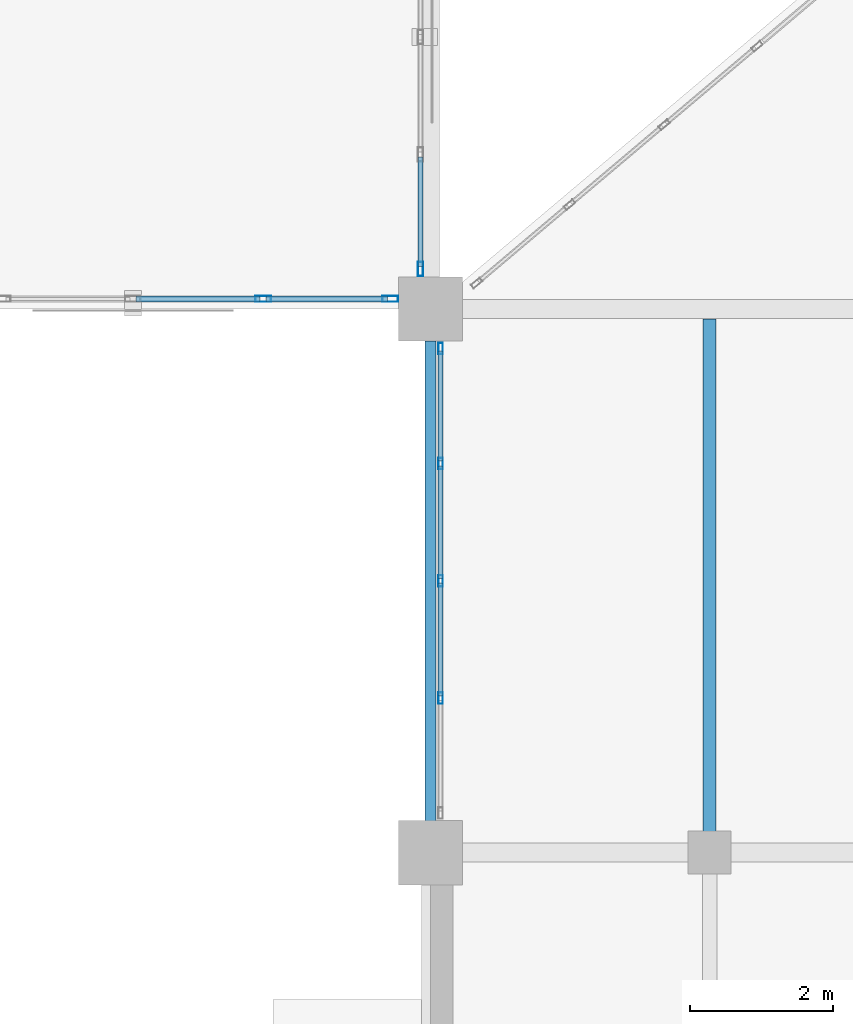
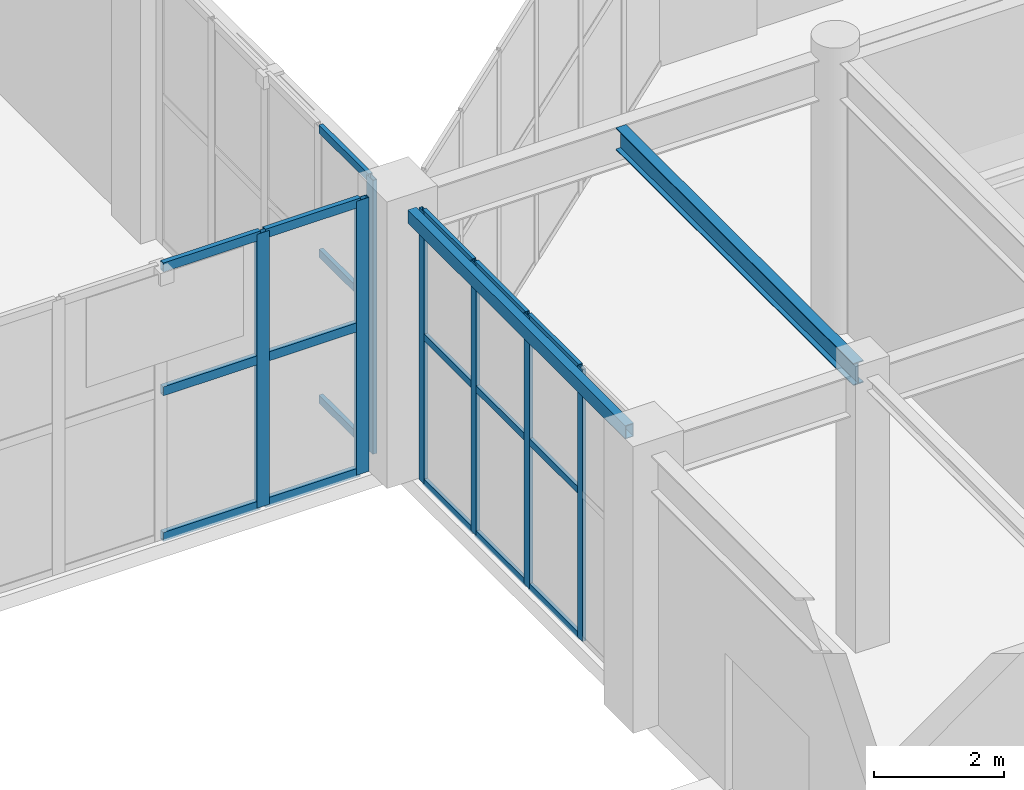
# One storey, part 82 of 139: 25 members, 2 beams, 3 elements without a shape of their own.
"""IFC4 building model written with IfcOpenShell, lengths in metres."""

from ifc_helpers import new_model, si_unit, direction, frame, origin, origin_2d, place, context, subcontext, project, spatial, hollow_rectangle, i_section, extrude, material, layer, layer_set, material_profile, profile_set, type_object, element, aggregate, save


model = new_model("IFC4")

# Units and contexts
model_context = context("Model", 3, precision=1e-05, world=origin(), true_north=direction((0.0, 1.0)))
body_context = subcontext(model_context, "Body", "Model", "MODEL_VIEW")
ifc_project = project(units=[si_unit("LENGTHUNIT", "METRE"), si_unit("AREAUNIT", "SQUARE_METRE"), si_unit("VOLUMEUNIT", "CUBIC_METRE"), si_unit("PLANEANGLEUNIT", "RADIAN"), si_unit("MASSUNIT", "GRAM", prefix="KILO")], contexts=[model_context])

# Site, building, storey
site_placement = place(None, origin())
site = spatial("IfcSite", under=ifc_project, at=site_placement, CompositionType="ELEMENT")
building_placement = place(site_placement, origin())
building = spatial("IfcBuilding", under=site, at=building_placement, Name="Xicomal Pleat Aquarium", CompositionType="ELEMENT")
storey_placement = place(building_placement, origin())
storey = spatial("IfcBuildingStorey", under=building, at=storey_placement, Name="L01", CompositionType="ELEMENT", Elevation=0.0)

# Beams
ifc_material_1 = material(Name="Structural steel A992 Gr 50", Category="steel")
ifc_material_profile_1 = material_profile(ifc_material_1, i_section(OverallWidth=0.180908203125, OverallDepth=0.4169921875, WebThickness=0.010986328125, FlangeThickness=0.018310546875, at=origin_2d()), Name="IR 410x85")
ifc_profile_set_1 = profile_set([ifc_material_profile_1], Name="Structural steel A992 Gr 50")
beam_type_1 = type_object("IfcBeamType", Name="BM-STL-IR410", PredefinedType="JOIST", material=ifc_profile_set_1)
beam_1_placement = place(storey_placement, frame((137.699951171875, 22.93701171875, 4.91162109375), z_axis=(0.0, 1.0, 0.0), x_axis=(-1.0, 0.0, 0.0)))
element("IfcBeam", 1, at=beam_1_placement, inside=storey, type_object=beam_type_1, Name="L01 framing beam FBJ-L01-17-D-1", PredefinedType="JOIST", context=body_context, shape_type="SweptSolid", body=[
    extrude(i_section(OverallWidth=0.180908203125, OverallDepth=0.4169921875, WebThickness=0.010986328125, FlangeThickness=0.018310546875, at=origin_2d()), origin(), (0.0, 0.0, 1.0), 7.325927734375),
])
ifc_material_2 = material(Name="Structural steel A500 Gr C", Category="steel")
ifc_material_profile_2 = material_profile(ifc_material_2, hollow_rectangle(XDim=0.14990234375, YDim=0.25, WallThickness=0.010009765625, at=origin_2d()), Name="OR 250x150x10")
ifc_profile_set_2 = profile_set([ifc_material_profile_2], Name="Structural steel A500 Gr C")
beam_type_2 = type_object("IfcBeamType", Name="BM-STL-OR250", PredefinedType="SPANDREL", material=ifc_profile_set_2)
beam_2_placement = place(storey_placement, frame((133.800048828125, 23.2451171875, 4.9951171875), z_axis=(0.0, 1.0, 0.0), x_axis=(-1.0, 0.0, 0.0)))
element("IfcBeam", 2, at=beam_2_placement, inside=storey, type_object=beam_type_2, Name="L01 framing beam FGY-L01-17-D-E", PredefinedType="SPANDREL", context=body_context, shape_type="SweptSolid", body=[
    extrude(hollow_rectangle(XDim=0.14990234375, YDim=0.25, WallThickness=0.010009765625, at=origin_2d()), origin(), (0.0, 0.0, 1.0), 6.7099609375),
])

# Curtain wall, members
ifc_material_3 = material(Name="Bronze anodized aluminium 6063-T6", Category="aluminium")
ifc_layer_1 = layer(ifc_material_3, 0.159912109375)
ifc_layer_set_1 = layer_set([ifc_layer_1], Name="Bronze anodized aluminium 6063-T6")
curtain_wall_type_1 = type_object("IfcCurtainWallType", Name="CW-SYS-01", PredefinedType="NOTDEFINED", material=ifc_layer_set_1)
curtain_wall_1_placement = place(storey_placement, origin())
curtain_wall_1 = element("IfcCurtainWall", 3, at=curtain_wall_1_placement, inside=storey, type_object=curtain_wall_type_1, Name="L01 unitised curtain wall CW-L01-063", PredefinedType="NOTDEFINED")
ifc_material_4 = material(Name="Bronze anodized aluminium 6063-T6", Category="aluminium")
ifc_material_profile_3 = material_profile(ifc_material_4, hollow_rectangle(XDim=0.06494140625, YDim=0.159912109375, WallThickness=0.00390625, at=origin_2d()), Name="ALU MULL 65x160")
ifc_profile_set_3 = profile_set([ifc_material_profile_3], Name="Bronze anodized aluminium 6063-T6")
member_type_1 = type_object("IfcMemberType", Name="CWM-65x160", PredefinedType="MULLION", material=ifc_profile_set_3)
member_1_placement = place(storey_placement, frame((133.93994140625, 24.9599609375, 0.0), z_axis=(0.0, 0.0, 1.0), x_axis=(-1.0, 0.0, 0.0)))
member_1 = element("IfcMember", 4, at=member_1_placement, type_object=member_type_1, Name="CW-01 mullion 2", PredefinedType="MULLION", context=body_context, shape_type="SweptSolid", body=[
    extrude(hollow_rectangle(XDim=0.06494140625, YDim=0.159912109375, WallThickness=0.00390625, at=origin_2d()), origin(), (0.0, 0.0, 1.0), 5.1201171875),
])
member_2_placement = place(storey_placement, frame((133.93994140625, 26.60009765625, 0.0), z_axis=(0.0, 0.0, 1.0), x_axis=(-1.0, 0.0, 0.0)))
member_2 = element("IfcMember", 5, at=member_2_placement, type_object=member_type_1, Name="CW-01 mullion 3", PredefinedType="MULLION", context=body_context, shape_type="SweptSolid", body=[
    extrude(hollow_rectangle(XDim=0.06494140625, YDim=0.159912109375, WallThickness=0.00390625, at=origin_2d()), origin(), (0.0, 0.0, 1.0), 5.1201171875),
])
member_3_placement = place(storey_placement, frame((133.93994140625, 28.239990234375, 0.0), z_axis=(0.0, 0.0, 1.0), x_axis=(-1.0, 0.0, 0.0)))
member_3 = element("IfcMember", 6, at=member_3_placement, type_object=member_type_1, Name="CW-01 mullion 4", PredefinedType="MULLION", context=body_context, shape_type="SweptSolid", body=[
    extrude(hollow_rectangle(XDim=0.06494140625, YDim=0.159912109375, WallThickness=0.00390625, at=origin_2d()), origin(), (0.0, 0.0, 1.0), 5.1201171875),
])
member_4_placement = place(storey_placement, frame((133.93994140625, 29.847412109375, 0.0), z_axis=(0.0, 0.0, 1.0), x_axis=(-1.0, 0.0, 0.0)))
member_4 = element("IfcMember", 7, at=member_4_placement, type_object=member_type_1, Name="CW-01 mullion 5", PredefinedType="MULLION", context=body_context, shape_type="SweptSolid", body=[
    extrude(hollow_rectangle(XDim=0.06494140625, YDim=0.159912109375, WallThickness=0.00390625, at=origin_2d()), origin(), (0.0, 0.0, 1.0), 5.1201171875),
])

# Curtain wall, member
ifc_material_5 = material(Name="Bronze anodized aluminium 6063-T6", Category="aluminium")
ifc_layer_2 = layer(ifc_material_5, 0.159912109375)
ifc_layer_set_2 = layer_set([ifc_layer_2], Name="Bronze anodized aluminium 6063-T6")
curtain_wall_type_2 = type_object("IfcCurtainWallType", Name="CW-SYS-06", PredefinedType="NOTDEFINED", material=ifc_layer_set_2)
curtain_wall_2_placement = place(storey_placement, origin())
curtain_wall_2 = element("IfcCurtainWall", 8, at=curtain_wall_2_placement, inside=storey, type_object=curtain_wall_type_2, Name="L01 unitised curtain wall CW-L01-046", PredefinedType="NOTDEFINED")
ifc_material_6 = material(Name="Bronze anodized aluminium 6063-T6", Category="aluminium")
ifc_material_profile_4 = material_profile(ifc_material_6, hollow_rectangle(XDim=0.074951171875, YDim=0.199951171875, WallThickness=0.00439453125, at=origin_2d()), Name="ALU MULL 75x200")
ifc_profile_set_4 = profile_set([ifc_material_profile_4], Name="Bronze anodized aluminium 6063-T6")
member_type_2 = type_object("IfcMemberType", Name="CWM-75x200", PredefinedType="MULLION", material=ifc_profile_set_4)
member_5_placement = place(storey_placement, frame((133.659912109375, 30.95751953125, 0.0), z_axis=(0.0, 0.0, 1.0), x_axis=(1.0, 0.0, 0.0)))
member_5 = element("IfcMember", 9, at=member_5_placement, type_object=member_type_2, Name="CW-06 mullion 5", PredefinedType="MULLION", context=body_context, shape_type="SweptSolid", body=[
    extrude(hollow_rectangle(XDim=0.074951171875, YDim=0.199951171875, WallThickness=0.00439453125, at=origin_2d()), origin(), (0.0, 0.0, 1.0), 5.159912109375),
])

# Curtain wall, members
ifc_material_7 = material(Name="Bronze anodized aluminium 6063-T6", Category="aluminium")
ifc_layer_3 = layer(ifc_material_7, 0.159912109375)
ifc_layer_set_3 = layer_set([ifc_layer_3], Name="Bronze anodized aluminium 6063-T6")
curtain_wall_type_3 = type_object("IfcCurtainWallType", Name="CW-SYS-11", PredefinedType="NOTDEFINED", material=ifc_layer_set_3)
curtain_wall_3_placement = place(storey_placement, origin())
curtain_wall_3 = element("IfcCurtainWall", 10, at=curtain_wall_3_placement, inside=storey, type_object=curtain_wall_type_3, Name="L01 unitised curtain wall CW-L01-047", PredefinedType="NOTDEFINED")
ifc_material_8 = material(Name="Bronze anodized aluminium 6063-T6", Category="aluminium")
ifc_material_profile_5 = material_profile(ifc_material_8, hollow_rectangle(XDim=0.0849609375, YDim=0.219970703125, WallThickness=0.0048828125, at=origin_2d()), Name="ALU MULL 85x220")
ifc_profile_set_5 = profile_set([ifc_material_profile_5], Name="Bronze anodized aluminium 6063-T6")
member_type_3 = type_object("IfcMemberType", Name="CWM-85x220", PredefinedType="MULLION", material=ifc_profile_set_5)
member_6_placement = place(storey_placement, frame((133.237548828125, 30.5400390625, 0.0), z_axis=(0.0, 0.0, 1.0), x_axis=(0.0, -1.0, 0.0)))
member_6 = element("IfcMember", 11, at=member_6_placement, type_object=member_type_3, Name="CW-11 mullion 1", PredefinedType="MULLION", context=body_context, shape_type="SweptSolid", body=[
    extrude(hollow_rectangle(XDim=0.0849609375, YDim=0.219970703125, WallThickness=0.0048828125, at=origin_2d()), origin(), (0.0, 0.0, 1.0), 5.159912109375),
])
member_7_placement = place(storey_placement, frame((131.4599609375, 30.5400390625, 0.0), z_axis=(0.0, 0.0, 1.0), x_axis=(0.0, -1.0, 0.0)))
member_7 = element("IfcMember", 12, at=member_7_placement, type_object=member_type_3, Name="CW-11 mullion 2", PredefinedType="MULLION", context=body_context, shape_type="SweptSolid", body=[
    extrude(hollow_rectangle(XDim=0.0849609375, YDim=0.219970703125, WallThickness=0.0048828125, at=origin_2d()), origin(), (0.0, 0.0, 1.0), 5.159912109375),
])

# Member
ifc_material_9 = material(Name="Bronze anodized aluminium 6063-T6", Category="aluminium")
ifc_material_profile_6 = material_profile(ifc_material_9, hollow_rectangle(XDim=0.06494140625, YDim=0.1298828125, WallThickness=0.00390625, at=origin_2d()), Name="ALU TRAN 65x130")
ifc_profile_set_6 = profile_set([ifc_material_profile_6], Name="Bronze anodized aluminium 6063-T6")
member_type_4 = type_object("IfcMemberType", Name="CWT-65x130", PredefinedType="USERDEFINED", material=ifc_profile_set_6)
member_8_placement = place(storey_placement, frame((133.93994140625, 24.992431640625, 0.032470703125), z_axis=(0.0, 1.0, 0.0), x_axis=(-1.0, 0.0, 0.0)))
member_8 = element("IfcMember", 13, at=member_8_placement, type_object=member_type_4, Name="CW-01 transom 2.1", ObjectType="TRANSOM", PredefinedType="USERDEFINED", context=body_context, shape_type="SweptSolid", body=[
    extrude(hollow_rectangle(XDim=0.06494140625, YDim=0.1298828125, WallThickness=0.00390625, at=origin_2d()), origin(), (0.0, 0.0, 1.0), 1.574951171875),
])

member_9_placement = place(storey_placement, frame((133.93994140625, 24.992431640625, 2.764892578125), z_axis=(0.0, 1.0, 0.0), x_axis=(-1.0, 0.0, 0.0)))
member_9 = element("IfcMember", 14, at=member_9_placement, type_object=member_type_4, Name="CW-01 transom 2.2", ObjectType="TRANSOM", PredefinedType="USERDEFINED", context=body_context, shape_type="SweptSolid", body=[
    extrude(hollow_rectangle(XDim=0.06494140625, YDim=0.1298828125, WallThickness=0.00390625, at=origin_2d()), origin(), (0.0, 0.0, 1.0), 1.574951171875),
])

member_10_placement = place(storey_placement, frame((133.93994140625, 24.992431640625, 5.08740234375), z_axis=(0.0, 1.0, 0.0), x_axis=(-1.0, 0.0, 0.0)))
member_10 = element("IfcMember", 15, at=member_10_placement, type_object=member_type_4, Name="CW-01 transom 2.3", ObjectType="TRANSOM", PredefinedType="USERDEFINED", context=body_context, shape_type="SweptSolid", body=[
    extrude(hollow_rectangle(XDim=0.06494140625, YDim=0.1298828125, WallThickness=0.00390625, at=origin_2d()), origin(), (0.0, 0.0, 1.0), 1.574951171875),
])

member_11_placement = place(storey_placement, frame((133.93994140625, 26.632568359375, 0.032470703125), z_axis=(0.0, 1.0, 0.0), x_axis=(-1.0, 0.0, 0.0)))
member_11 = element("IfcMember", 16, at=member_11_placement, type_object=member_type_4, Name="CW-01 transom 3.1", ObjectType="TRANSOM", PredefinedType="USERDEFINED", context=body_context, shape_type="SweptSolid", body=[
    extrude(hollow_rectangle(XDim=0.06494140625, YDim=0.1298828125, WallThickness=0.00390625, at=origin_2d()), origin(), (0.0, 0.0, 1.0), 1.574951171875),
])

member_12_placement = place(storey_placement, frame((133.93994140625, 26.632568359375, 2.764892578125), z_axis=(0.0, 1.0, 0.0), x_axis=(-1.0, 0.0, 0.0)))
member_12 = element("IfcMember", 17, at=member_12_placement, type_object=member_type_4, Name="CW-01 transom 3.2", ObjectType="TRANSOM", PredefinedType="USERDEFINED", context=body_context, shape_type="SweptSolid", body=[
    extrude(hollow_rectangle(XDim=0.06494140625, YDim=0.1298828125, WallThickness=0.00390625, at=origin_2d()), origin(), (0.0, 0.0, 1.0), 1.574951171875),
])

member_13_placement = place(storey_placement, frame((133.93994140625, 26.632568359375, 5.08740234375), z_axis=(0.0, 1.0, 0.0), x_axis=(-1.0, 0.0, 0.0)))
member_13 = element("IfcMember", 18, at=member_13_placement, type_object=member_type_4, Name="CW-01 transom 3.3", ObjectType="TRANSOM", PredefinedType="USERDEFINED", context=body_context, shape_type="SweptSolid", body=[
    extrude(hollow_rectangle(XDim=0.06494140625, YDim=0.1298828125, WallThickness=0.00390625, at=origin_2d()), origin(), (0.0, 0.0, 1.0), 1.574951171875),
])

member_14_placement = place(storey_placement, frame((133.93994140625, 28.2724609375, 0.032470703125), z_axis=(0.0, 1.0, 0.0), x_axis=(-1.0, 0.0, 0.0)))
member_14 = element("IfcMember", 19, at=member_14_placement, type_object=member_type_4, Name="CW-01 transom 4.1", ObjectType="TRANSOM", PredefinedType="USERDEFINED", context=body_context, shape_type="SweptSolid", body=[
    extrude(hollow_rectangle(XDim=0.06494140625, YDim=0.1298828125, WallThickness=0.00390625, at=origin_2d()), origin(), (0.0, 0.0, 1.0), 1.54248046875),
])

member_15_placement = place(storey_placement, frame((133.93994140625, 28.2724609375, 2.764892578125), z_axis=(0.0, 1.0, 0.0), x_axis=(-1.0, 0.0, 0.0)))
member_15 = element("IfcMember", 20, at=member_15_placement, type_object=member_type_4, Name="CW-01 transom 4.2", ObjectType="TRANSOM", PredefinedType="USERDEFINED", context=body_context, shape_type="SweptSolid", body=[
    extrude(hollow_rectangle(XDim=0.06494140625, YDim=0.1298828125, WallThickness=0.00390625, at=origin_2d()), origin(), (0.0, 0.0, 1.0), 1.54248046875),
])

member_16_placement = place(storey_placement, frame((133.93994140625, 28.2724609375, 5.08740234375), z_axis=(0.0, 1.0, 0.0), x_axis=(-1.0, 0.0, 0.0)))
member_16 = element("IfcMember", 21, at=member_16_placement, type_object=member_type_4, Name="CW-01 transom 4.3", ObjectType="TRANSOM", PredefinedType="USERDEFINED", context=body_context, shape_type="SweptSolid", body=[
    extrude(hollow_rectangle(XDim=0.06494140625, YDim=0.1298828125, WallThickness=0.00390625, at=origin_2d()), origin(), (0.0, 0.0, 1.0), 1.54248046875),
])

aggregate(curtain_wall_1, [member_1, member_2, member_3, member_4, member_8, member_9, member_10, member_11, member_12, member_13, member_14, member_15, member_16])

ifc_material_10 = material(Name="Bronze anodized aluminium 6063-T6", Category="aluminium")
ifc_material_profile_7 = material_profile(ifc_material_10, hollow_rectangle(XDim=0.074951171875, YDim=0.14990234375, WallThickness=0.00439453125, at=origin_2d()), Name="ALU TRAN 75x150")
ifc_profile_set_7 = profile_set([ifc_material_profile_7], Name="Bronze anodized aluminium 6063-T6")
member_type_5 = type_object("IfcMemberType", Name="CWT-75x150", PredefinedType="USERDEFINED", material=ifc_profile_set_7)
member_17_placement = place(storey_placement, frame((133.659912109375, 32.5224609375, 0.03759765625), z_axis=(0.0, -1.0, 0.0), x_axis=(1.0, 0.0, 0.0)))
member_17 = element("IfcMember", 22, at=member_17_placement, type_object=member_type_5, Name="CW-06 transom 4.1", ObjectType="TRANSOM", PredefinedType="USERDEFINED", context=body_context, shape_type="SweptSolid", body=[
    extrude(hollow_rectangle(XDim=0.074951171875, YDim=0.14990234375, WallThickness=0.00439453125, at=origin_2d()), origin(), (0.0, 0.0, 1.0), 1.52734375),
])

member_18_placement = place(storey_placement, frame((133.659912109375, 32.5224609375, 2.785888671875), z_axis=(0.0, -1.0, 0.0), x_axis=(1.0, 0.0, 0.0)))
member_18 = element("IfcMember", 23, at=member_18_placement, type_object=member_type_5, Name="CW-06 transom 4.2", ObjectType="TRANSOM", PredefinedType="USERDEFINED", context=body_context, shape_type="SweptSolid", body=[
    extrude(hollow_rectangle(XDim=0.074951171875, YDim=0.14990234375, WallThickness=0.00439453125, at=origin_2d()), origin(), (0.0, 0.0, 1.0), 1.52734375),
])

member_19_placement = place(storey_placement, frame((133.659912109375, 32.5224609375, 5.12255859375), z_axis=(0.0, -1.0, 0.0), x_axis=(1.0, 0.0, 0.0)))
member_19 = element("IfcMember", 24, at=member_19_placement, type_object=member_type_5, Name="CW-06 transom 4.3", ObjectType="TRANSOM", PredefinedType="USERDEFINED", context=body_context, shape_type="SweptSolid", body=[
    extrude(hollow_rectangle(XDim=0.074951171875, YDim=0.14990234375, WallThickness=0.00439453125, at=origin_2d()), origin(), (0.0, 0.0, 1.0), 1.52734375),
])

aggregate(curtain_wall_2, [member_5, member_17, member_18, member_19])

ifc_material_11 = material(Name="Bronze anodized aluminium 6063-T6", Category="aluminium")
ifc_material_profile_8 = material_profile(ifc_material_11, hollow_rectangle(XDim=0.0849609375, YDim=0.169921875, WallThickness=0.0048828125, at=origin_2d()), Name="ALU TRAN 85x170")
ifc_profile_set_8 = profile_set([ifc_material_profile_8], Name="Bronze anodized aluminium 6063-T6")
member_type_6 = type_object("IfcMemberType", Name="CWT-85x170", PredefinedType="USERDEFINED", material=ifc_profile_set_8)
member_20_placement = place(storey_placement, frame((133.195068359375, 30.5400390625, 0.04248046875), z_axis=(-1.0, 0.0, 0.0), x_axis=(0.0, -1.0, 0.0)))
member_20 = element("IfcMember", 25, at=member_20_placement, type_object=member_type_6, Name="CW-11 transom 1.1", ObjectType="TRANSOM", PredefinedType="USERDEFINED", context=body_context, shape_type="SweptSolid", body=[
    extrude(hollow_rectangle(XDim=0.0849609375, YDim=0.169921875, WallThickness=0.0048828125, at=origin_2d()), origin(), (0.0, 0.0, 1.0), 1.692626953125),
])

member_21_placement = place(storey_placement, frame((133.195068359375, 30.5400390625, 2.785888671875), z_axis=(-1.0, 0.0, 0.0), x_axis=(0.0, -1.0, 0.0)))
member_21 = element("IfcMember", 26, at=member_21_placement, type_object=member_type_6, Name="CW-11 transom 1.2", ObjectType="TRANSOM", PredefinedType="USERDEFINED", context=body_context, shape_type="SweptSolid", body=[
    extrude(hollow_rectangle(XDim=0.0849609375, YDim=0.169921875, WallThickness=0.0048828125, at=origin_2d()), origin(), (0.0, 0.0, 1.0), 1.692626953125),
])

member_22_placement = place(storey_placement, frame((133.195068359375, 30.5400390625, 5.117431640625), z_axis=(-1.0, 0.0, 0.0), x_axis=(0.0, -1.0, 0.0)))
member_22 = element("IfcMember", 27, at=member_22_placement, type_object=member_type_6, Name="CW-11 transom 1.3", ObjectType="TRANSOM", PredefinedType="USERDEFINED", context=body_context, shape_type="SweptSolid", body=[
    extrude(hollow_rectangle(XDim=0.0849609375, YDim=0.169921875, WallThickness=0.0048828125, at=origin_2d()), origin(), (0.0, 0.0, 1.0), 1.692626953125),
])

member_23_placement = place(storey_placement, frame((131.41748046875, 30.5400390625, 0.04248046875), z_axis=(-1.0, 0.0, 0.0), x_axis=(0.0, -1.0, 0.0)))
member_23 = element("IfcMember", 28, at=member_23_placement, type_object=member_type_6, Name="CW-11 transom 2.1", ObjectType="TRANSOM", PredefinedType="USERDEFINED", context=body_context, shape_type="SweptSolid", body=[
    extrude(hollow_rectangle(XDim=0.0849609375, YDim=0.169921875, WallThickness=0.0048828125, at=origin_2d()), origin(), (0.0, 0.0, 1.0), 1.73486328125),
])

member_24_placement = place(storey_placement, frame((131.41748046875, 30.5400390625, 2.785888671875), z_axis=(-1.0, 0.0, 0.0), x_axis=(0.0, -1.0, 0.0)))
member_24 = element("IfcMember", 29, at=member_24_placement, type_object=member_type_6, Name="CW-11 transom 2.2", ObjectType="TRANSOM", PredefinedType="USERDEFINED", context=body_context, shape_type="SweptSolid", body=[
    extrude(hollow_rectangle(XDim=0.0849609375, YDim=0.169921875, WallThickness=0.0048828125, at=origin_2d()), origin(), (0.0, 0.0, 1.0), 1.73486328125),
])

member_25_placement = place(storey_placement, frame((131.41748046875, 30.5400390625, 5.117431640625), z_axis=(-1.0, 0.0, 0.0), x_axis=(0.0, -1.0, 0.0)))
member_25 = element("IfcMember", 30, at=member_25_placement, type_object=member_type_6, Name="CW-11 transom 2.3", ObjectType="TRANSOM", PredefinedType="USERDEFINED", context=body_context, shape_type="SweptSolid", body=[
    extrude(hollow_rectangle(XDim=0.0849609375, YDim=0.169921875, WallThickness=0.0048828125, at=origin_2d()), origin(), (0.0, 0.0, 1.0), 1.73486328125),
])

aggregate(curtain_wall_3, [member_6, member_7, member_20, member_21, member_22, member_23, member_24, member_25])

save(model, "model.ifc")
